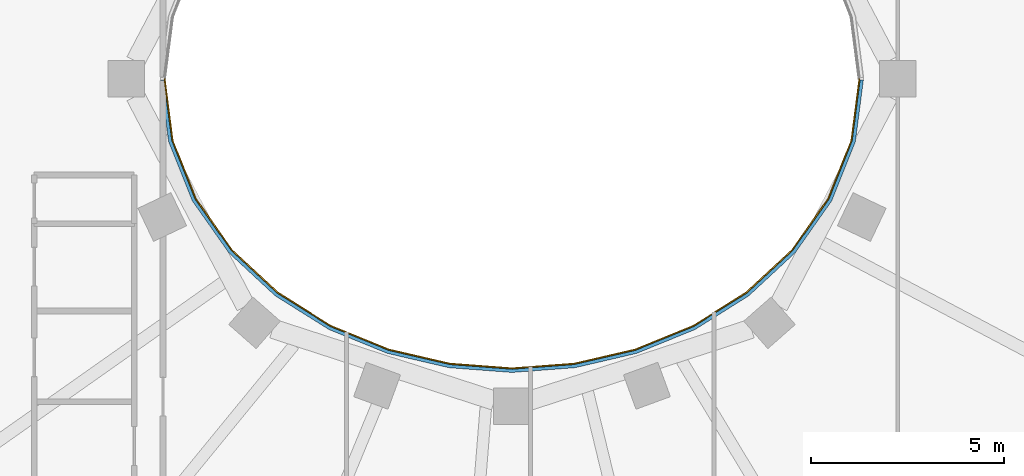
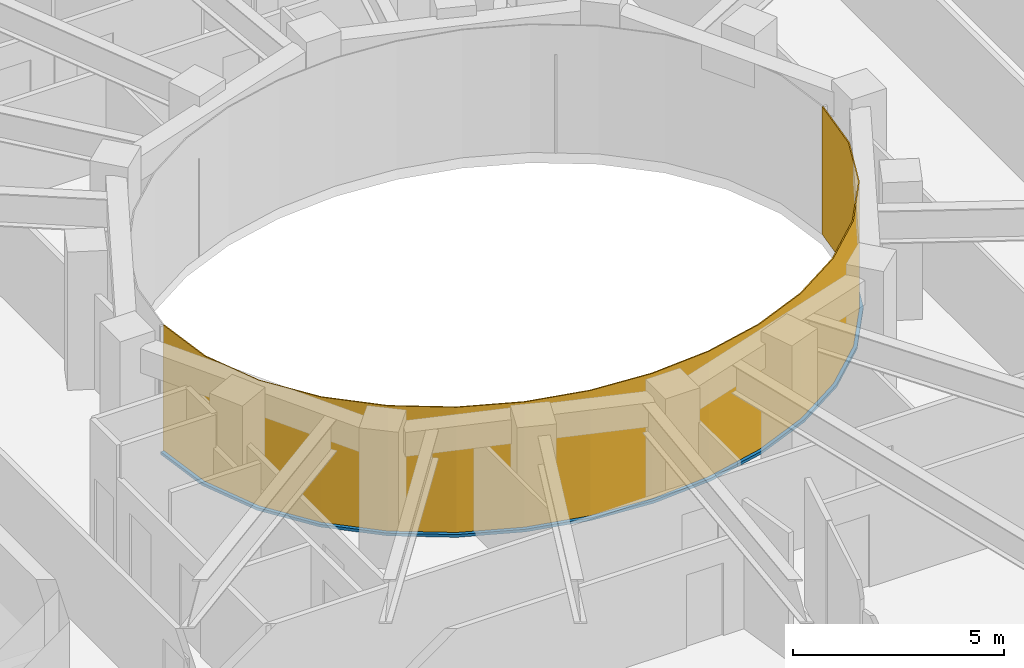
# One storey, part 10 of 16: 1 curtain wall, 1 member.
"""IFC4 building model written with IfcOpenShell, lengths in metres."""

from ifc_helpers import new_model, si_unit, direction, frame, origin, place, context, subcontext, project, spatial, polyline, outline, extrude, material, layer, layer_set, type_object, element, aggregate, save


model = new_model("IFC4")

# Units and contexts
model_context = context("Model", 3, precision=1e-05, world=origin(), true_north=direction((0.0, 1.0)))
body_context = subcontext(model_context, "Body", "Model", "MODEL_VIEW")
ifc_project = project(units=[si_unit("LENGTHUNIT", "METRE"), si_unit("AREAUNIT", "SQUARE_METRE"), si_unit("VOLUMEUNIT", "CUBIC_METRE"), si_unit("PLANEANGLEUNIT", "RADIAN"), si_unit("MASSUNIT", "GRAM", prefix="KILO")], contexts=[model_context])

# Member
ifc_material_1 = material(Name="Steel S355 fire-resisting frame", Category="steel")
member_type = type_object("IfcMemberType", Name="ENV-TRANSOM-W", PredefinedType="USERDEFINED", material=ifc_material_1)
site_placement = place(None, origin())
building_placement = place(site_placement, origin())
storey_placement = place(building_placement, frame((0.0, 0.0, 261.5)))
member_placement = place(storey_placement, origin())
member = element("IfcMember", 1, at=member_placement, type_object=member_type, Name="Transom W well 17-01", ObjectType="TRANSOM", PredefinedType="USERDEFINED", context=body_context, shape_type="SweptSolid", body=[
    extrude(outline(polyline([(-9.119384765625, -0.02783203125), (-8.910400390625, -1.63623046875), (-8.29833984375, -3.167236328125), (-7.35107421875, -4.5146484375), (-6.1455078125, -5.6337890625), (-4.75341796875, -6.50634765625), (-3.233642578125, -7.127685546875), (-1.635498046875, -7.498779296875), (0.0, -7.622314453125), (1.635498046875, -7.498779296875), (3.233642578125, -7.127685546875), (4.75341796875, -6.50634765625), (6.1455078125, -5.6337890625), (7.35107421875, -4.5146484375), (8.29833984375, -3.167236328125), (8.910400390625, -1.63623046875), (9.119384765625, -0.02783203125), (9.02880859375, -0.02783203125), (8.822509765625, -1.61328125), (8.21875, -3.124267578125), (7.282958984375, -4.455078125), (6.090576171875, -5.56201171875), (4.712158203125, -6.426025390625), (3.206298828125, -7.04150390625), (1.621826171875, -7.40966796875), (0.0, -7.531982421875), (-1.621826171875, -7.40966796875), (-3.206298828125, -7.04150390625), (-4.712158203125, -6.426025390625), (-6.090576171875, -5.56201171875), (-7.282958984375, -4.455078125), (-8.21875, -3.124267578125), (-8.822509765625, -1.61328125), (-9.02880859375, -0.02783203125), (-9.119384765625, -0.02783203125)])), origin(), (0.0, 0.0, 1.0), 0.080078125),
])

# Site, building, storey
site = spatial("IfcSite", under=ifc_project, at=site_placement, CompositionType="ELEMENT")
building = spatial("IfcBuilding", under=site, at=building_placement, Name="Noorbagh Ring Tower", CompositionType="ELEMENT")
storey = spatial("IfcBuildingStorey", under=building, at=storey_placement, Name="L55", CompositionType="ELEMENT", Elevation=261.5)

# Curtain wall
ifc_material_2 = material(Name="Glass fire-resisting E60 laminated", Category="glass")
ifc_layer = layer(ifc_material_2, 0.031982421875)
ifc_layer_set = layer_set([ifc_layer], Name="Glass fire-resisting E60 laminated")
curtain_wall_type = type_object("IfcCurtainWallType", Name="ENV-CW-W", PredefinedType="NOTDEFINED", material=ifc_layer_set)
curtain_wall_placement = place(storey_placement, origin())
curtain_wall = element("IfcCurtainWall", 2, at=curtain_wall_placement, inside=storey, type_object=curtain_wall_type, Name="Curtain wall W W17", PredefinedType="NOTDEFINED", context=body_context, shape_type="SweptSolid", body=[
    extrude(outline(polyline([(-9.0322265625, 0.0), (-8.822509765625, -1.61328125), (-8.21875, -3.124267578125), (-7.282958984375, -4.455078125), (-6.090576171875, -5.56201171875), (-4.712158203125, -6.426025390625), (-3.206298828125, -7.04150390625), (-1.621826171875, -7.40966796875), (0.0, -7.531982421875), (1.621826171875, -7.40966796875), (3.206298828125, -7.04150390625), (4.712158203125, -6.426025390625), (6.090576171875, -5.56201171875), (7.282958984375, -4.455078125), (8.21875, -3.124267578125), (8.822509765625, -1.61328125), (9.0322265625, 0.0), (9.0, 0.0), (8.79150390625, -1.605224609375), (8.1904296875, -3.10888671875), (7.2587890625, -4.43408203125), (6.071044921875, -5.53662109375), (4.697509765625, -6.3974609375), (3.196533203125, -7.010986328125), (1.6171875, -7.3779296875), (0.0, -7.5), (-1.6171875, -7.3779296875), (-3.196533203125, -7.010986328125), (-4.697509765625, -6.3974609375), (-6.071044921875, -5.53662109375), (-7.2587890625, -4.43408203125), (-8.1904296875, -3.10888671875), (-8.79150390625, -1.605224609375), (-9.0, 0.0), (-9.0322265625, 0.0)])), origin(), (0.0, 0.0, 1.0), 3.699951171875),
])

aggregate(curtain_wall, [member])

save(model, "model.ifc")
